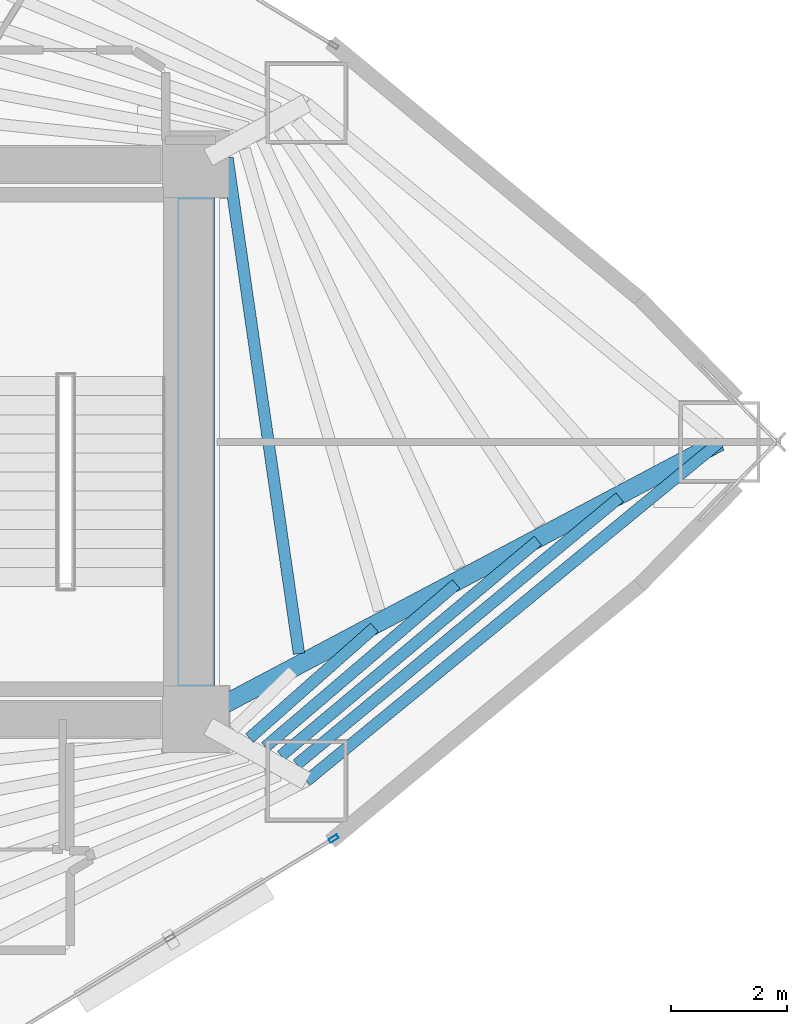
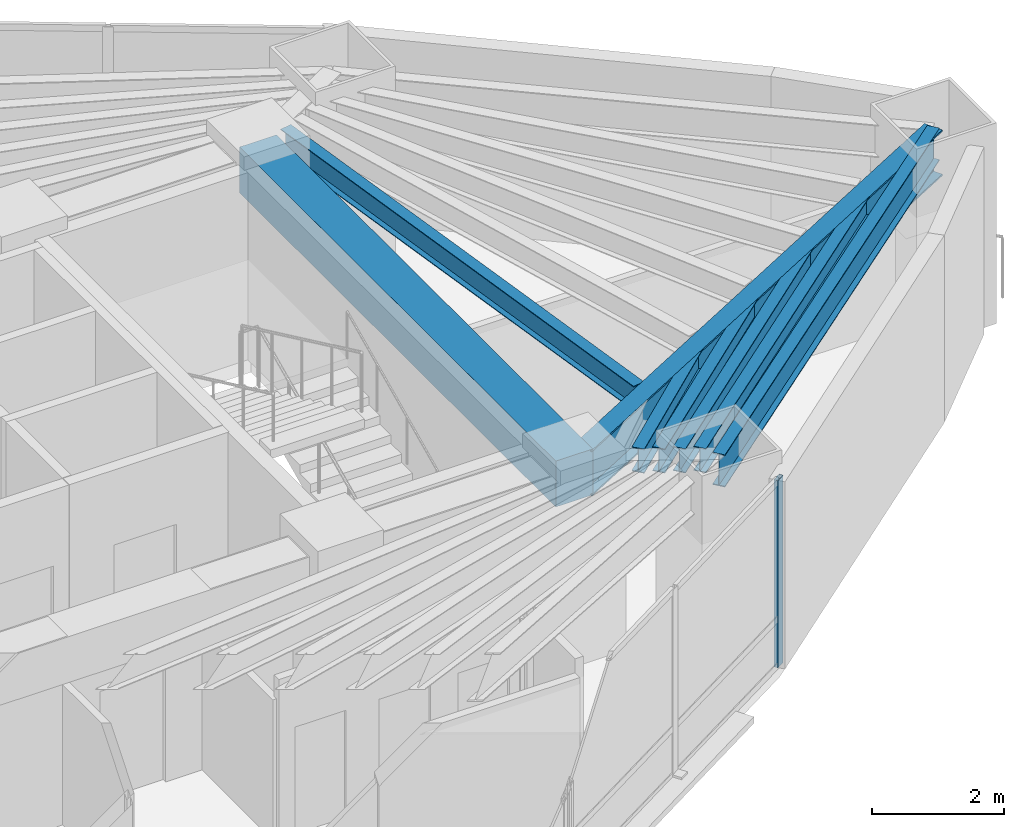
# One storey, part 6 of 18: 8 beams, 1 member, 1 element without a shape of its own.
"""IFC4 building model written with IfcOpenShell, lengths in metres."""

from ifc_helpers import new_model, si_unit, direction, frame, origin, origin_2d, place, context, subcontext, project, spatial, rectangle, hollow_rectangle, i_section, extrude, material, layer, layer_set, material_profile, profile_set, type_object, element, aggregate, save


model = new_model("IFC4")

# Units and contexts
model_context = context("Model", 3, precision=1e-05, world=origin(), true_north=direction((0.0, 1.0)))
body_context = subcontext(model_context, "Body", "Model", "MODEL_VIEW")
ifc_project = project(units=[si_unit("LENGTHUNIT", "METRE"), si_unit("AREAUNIT", "SQUARE_METRE"), si_unit("VOLUMEUNIT", "CUBIC_METRE"), si_unit("PLANEANGLEUNIT", "RADIAN"), si_unit("MASSUNIT", "GRAM", prefix="KILO")], contexts=[model_context])

# Site, building, storey
site_placement = place(None, origin())
site = spatial("IfcSite", under=ifc_project, at=site_placement, CompositionType="ELEMENT")
building_placement = place(site_placement, origin())
building = spatial("IfcBuilding", under=site, at=building_placement, Name="Menara Vayukalpa", CompositionType="ELEMENT")
storey_placement = place(building_placement, frame((0.0, 0.0, 35.0400390625)))
storey = spatial("IfcBuildingStorey", under=building, at=storey_placement, Name="L07", CompositionType="ELEMENT", Elevation=35.0400390625)

# Beams
ifc_material_1 = material(Name="Concrete C60/75", Category="concrete")
ifc_material_profile_1 = material_profile(ifc_material_1, rectangle(XDim=0.64990234375, YDim=0.85009765625, at=origin_2d()), Name="RC 650x850")
ifc_profile_set_1 = profile_set([ifc_material_profile_1], Name="Concrete C60/75")
beam_type_1 = type_object("IfcBeamType", Name="BM-CB1", PredefinedType="BEAM", material=ifc_profile_set_1)
beam_1_placement = place(storey_placement, frame((33.39990234375, 17.199951171875, 3.044921875), z_axis=(0.0, 1.0, 0.0), x_axis=(-1.0, 0.0, 0.0)))
element("IfcBeam", 1, at=beam_1_placement, inside=storey, type_object=beam_type_1, Name="L07 Core Tie Beam CBR8", PredefinedType="BEAM", context=body_context, shape_type="SweptSolid", body=[
    extrude(rectangle(XDim=0.64990234375, YDim=0.85009765625, at=origin_2d()), origin(), (0.0, 0.0, 1.0), 9.60009765625),
])
ifc_material_2 = material(Name="Steel S355", Category="steel")
ifc_material_profile_2 = material_profile(ifc_material_2, i_section(OverallWidth=0.320068359375, OverallDepth=0.85009765625, WebThickness=0.01611328125, FlangeThickness=0.030029296875, at=origin_2d()), Name="WF 850x320x16x30")
ifc_profile_set_2 = profile_set([ifc_material_profile_2], Name="Steel S355")
beam_type_2 = type_object("IfcBeamType", Name="BM-PG2", PredefinedType="BEAM", material=ifc_profile_set_2)
beam_2_placement = place(storey_placement, frame((33.620849609375, 17.31689453125, 3.044921875), z_axis=(0.883746967157, 0.467965060704, 0.0), x_axis=(-0.467965060704, 0.883746967157, 0.0)))
element("IfcBeam", 2, at=beam_2_placement, inside=storey, type_object=beam_type_2, Name="L07 Primary Radial Girder RG01", PredefinedType="BEAM", context=body_context, shape_type="SweptSolid", body=[
    extrude(i_section(OverallWidth=0.320068359375, OverallDepth=0.85009765625, WebThickness=0.01611328125, FlangeThickness=0.030029296875, at=origin_2d()), origin(), (0.0, 0.0, 1.0), 10.00732421875),
])
ifc_material_3 = material(Name="Steel S355", Category="steel")
ifc_material_profile_3 = material_profile(ifc_material_3, i_section(OverallWidth=0.199951171875, OverallDepth=0.449951171875, WebThickness=0.009033203125, FlangeThickness=0.013916015625, at=origin_2d()), Name="WF 450x200x9x14")
ifc_profile_set_3 = profile_set([ifc_material_profile_3], Name="Steel S355")
beam_type_3 = type_object("IfcBeamType", Name="BM-SJ1", PredefinedType="JOIST", material=ifc_profile_set_3)
beam_3_placement = place(storey_placement, frame((35.18701171875, 18.338134765625, 3.244873046875), z_axis=(-0.142766602183, 0.989756382804, 0.0), x_axis=(-0.989756382804, -0.142766602183, 0.0)))
element("IfcBeam", 3, at=beam_3_placement, inside=storey, type_object=beam_type_3, Name="L07 Secondary Floor Joist SJ01-1", PredefinedType="JOIST", context=body_context, shape_type="SweptSolid", body=[
    extrude(i_section(OverallWidth=0.199951171875, OverallDepth=0.449951171875, WebThickness=0.009033203125, FlangeThickness=0.013916015625, at=origin_2d()), origin(), (0.0, 0.0, 1.0), 8.6630859375),
])
beam_4_placement = place(storey_placement, frame((34.331298828125, 16.877685546875, 3.244873046875), z_axis=(0.748970728252, 0.662603084978, 0.0), x_axis=(-0.662603084978, 0.748970728252, 0.0)))
element("IfcBeam", 4, at=beam_4_placement, inside=storey, type_object=beam_type_3, Name="L07 Secondary Floor Joist SJ09-2", PredefinedType="JOIST", context=body_context, shape_type="SweptSolid", body=[
    extrude(i_section(OverallWidth=0.199951171875, OverallDepth=0.449951171875, WebThickness=0.009033203125, FlangeThickness=0.013916015625, at=origin_2d()), origin(), (0.0, 0.0, 1.0), 2.88623046875),
])
beam_5_placement = place(storey_placement, frame((34.605224609375, 16.724609375, 3.244873046875), z_axis=(0.760660716004, 0.649149655418, 0.0), x_axis=(-0.649149655418, 0.760660716004, 0.0)))
element("IfcBeam", 5, at=beam_5_placement, inside=storey, type_object=beam_type_3, Name="L07 Secondary Floor Joist SJ09-3", PredefinedType="JOIST", context=body_context, shape_type="SweptSolid", body=[
    extrude(i_section(OverallWidth=0.199951171875, OverallDepth=0.449951171875, WebThickness=0.009033203125, FlangeThickness=0.013916015625, at=origin_2d()), origin(), (0.0, 0.0, 1.0), 4.33935546875),
])
beam_6_placement = place(storey_placement, frame((34.878173828125, 16.572509765625, 3.244873046875), z_axis=(0.766661190174, 0.642051882235, 0.0), x_axis=(-0.642051882235, 0.766661190174, 0.0)))
element("IfcBeam", 6, at=beam_6_placement, inside=storey, type_object=beam_type_3, Name="L07 Secondary Floor Joist SJ09-4", PredefinedType="JOIST", context=body_context, shape_type="SweptSolid", body=[
    extrude(i_section(OverallWidth=0.199951171875, OverallDepth=0.449951171875, WebThickness=0.009033203125, FlangeThickness=0.013916015625, at=origin_2d()), origin(), (0.0, 0.0, 1.0), 5.79345703125),
])
beam_7_placement = place(storey_placement, frame((35.15087890625, 16.421142578125, 3.244873046875), z_axis=(0.770362369683, 0.637606320056, 0.0), x_axis=(-0.637606320056, 0.770362369683, 0.0)))
element("IfcBeam", 7, at=beam_7_placement, inside=storey, type_object=beam_type_3, Name="L07 Secondary Floor Joist SJ09-5", PredefinedType="JOIST", context=body_context, shape_type="SweptSolid", body=[
    extrude(i_section(OverallWidth=0.199951171875, OverallDepth=0.449951171875, WebThickness=0.009033203125, FlangeThickness=0.013916015625, at=origin_2d()), origin(), (0.0, 0.0, 1.0), 7.24755859375),
])
ifc_material_4 = material(Name="Steel S355", Category="steel")
ifc_material_profile_4 = material_profile(ifc_material_4, i_section(OverallWidth=0.199951171875, OverallDepth=0.60009765625, WebThickness=0.010986328125, FlangeThickness=0.01708984375, at=origin_2d()), Name="WF 600x200x11x17")
ifc_profile_set_4 = profile_set([ifc_material_profile_4], Name="Steel S355")
beam_type_4 = type_object("IfcBeamType", Name="BM-SP1", PredefinedType="SPANDREL", material=ifc_profile_set_4)
beam_8_placement = place(storey_placement, frame((35.318115234375, 16.13671875, 3.169921875), z_axis=(0.773110561587, 0.63427128231, 0.0), x_axis=(-0.63427128231, 0.773110561587, 0.0)))
element("IfcBeam", 8, at=beam_8_placement, inside=storey, type_object=beam_type_4, Name="L07 Perimeter Spandrel Beam SP09", PredefinedType="SPANDREL", context=body_context, shape_type="SweptSolid", body=[
    extrude(i_section(OverallWidth=0.199951171875, OverallDepth=0.60009765625, WebThickness=0.010986328125, FlangeThickness=0.01708984375, at=origin_2d()), origin(), (0.0, 0.0, 1.0), 9.244140625),
])

# Curtain wall, member
ifc_material_5 = material(Name="Anodised Terracotta Aluminium Alloy 6063-T6", Category="masonry")
ifc_layer = layer(ifc_material_5, 0.1650390625)
ifc_layer_set = layer_set([ifc_layer], Name="Anodised Terracotta Aluminium Alloy 6063-T6")
curtain_wall_type = type_object("IfcCurtainWallType", Name="CW-CW2", PredefinedType="USERDEFINED", material=ifc_layer_set)
curtain_wall_placement = place(storey_placement, origin())
curtain_wall = element("IfcCurtainWall", 9, at=curtain_wall_placement, inside=storey, type_object=curtain_wall_type, Name="L07 Low Rise Terracotta Ribbon Curtain Wall CW2 17", ObjectType="UNITISED", PredefinedType="USERDEFINED")
ifc_material_6 = material(Name="Anodised Terracotta Aluminium Alloy 6063-T6", Category="masonry")
ifc_material_profile_5 = material_profile(ifc_material_6, hollow_rectangle(XDim=0.070068359375, YDim=0.1650390625, WallThickness=0.00390625, at=origin_2d()), Name="ALU 70x165x4")
ifc_profile_set_5 = profile_set([ifc_material_profile_5], Name="Anodised Terracotta Aluminium Alloy 6063-T6")
member_type = type_object("IfcMemberType", Name="CWM-CW2", PredefinedType="MULLION", material=ifc_profile_set_5)
member_placement = place(storey_placement, frame((35.787353515625, 15.138427734375, 0.0), z_axis=(0.0, 0.0, 1.0), x_axis=(-0.519181964377, 0.854663727945, 0.0)))
member = element("IfcMember", 10, at=member_placement, type_object=member_type, Name="CW2 mullion 3", PredefinedType="MULLION", context=body_context, shape_type="SweptSolid", body=[
    extrude(hollow_rectangle(XDim=0.070068359375, YDim=0.1650390625, WallThickness=0.00390625, at=origin_2d()), origin(), (0.0, 0.0, 1.0), 3.469970703125),
])
aggregate(curtain_wall, [member])

save(model, "model.ifc")
